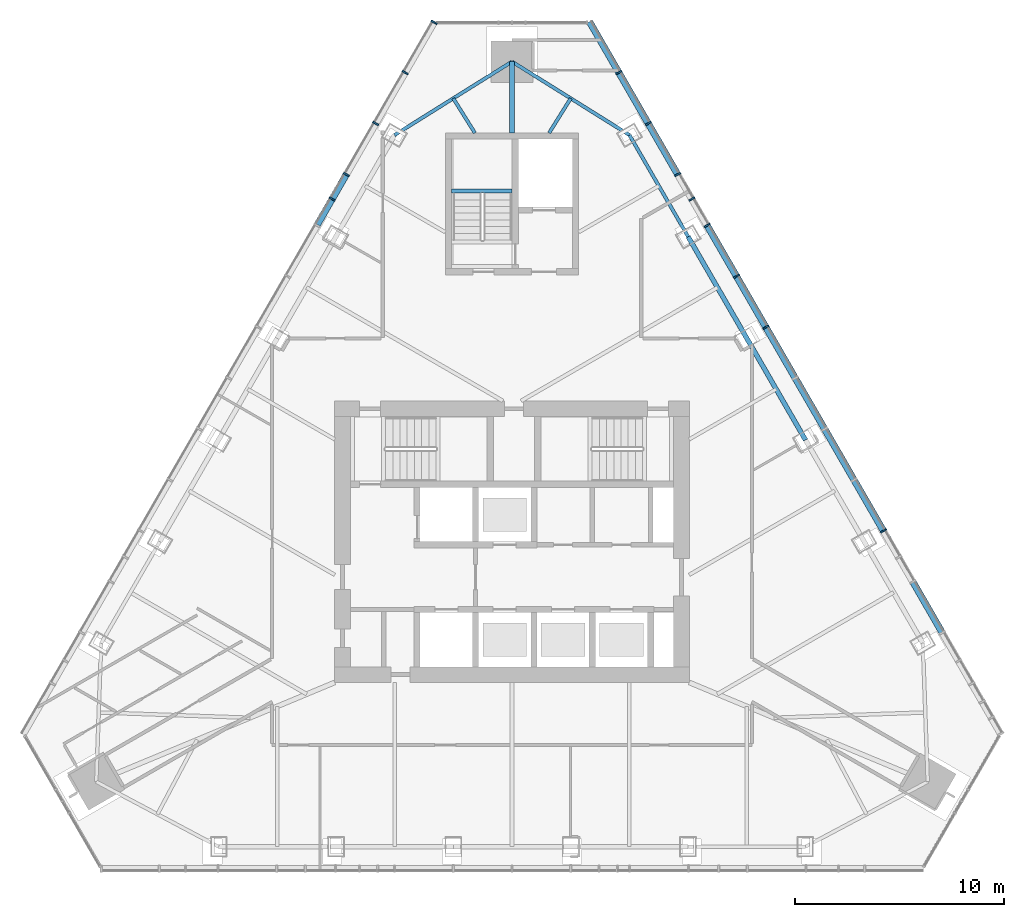
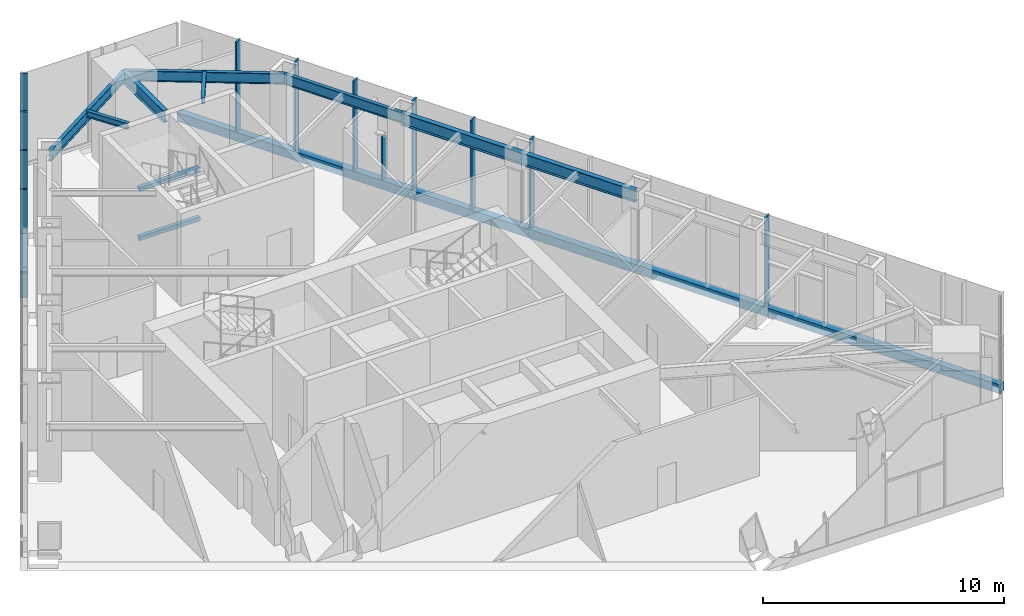
# One storey, part 6 of 17: 15 members, 9 beams, 2 elements without a shape of their own.
"""IFC4 building model written with IfcOpenShell, lengths in metres."""

from ifc_helpers import new_model, si_unit, direction, frame, origin, origin_2d, place, context, subcontext, project, spatial, rectangle, i_section, extrude, material, layer, layer_set, material_profile, profile_set, type_object, element, aggregate, save


model = new_model("IFC4")

# Units and contexts
model_context = context("Model", 3, precision=1e-05, world=origin(), true_north=direction((0.0, 1.0)))
body_context = subcontext(model_context, "Body", "Model", "MODEL_VIEW")
ifc_project = project(units=[si_unit("LENGTHUNIT", "METRE"), si_unit("AREAUNIT", "SQUARE_METRE"), si_unit("VOLUMEUNIT", "CUBIC_METRE"), si_unit("PLANEANGLEUNIT", "RADIAN"), si_unit("MASSUNIT", "GRAM", prefix="KILO")], contexts=[model_context])

# Site, building, storey
site_placement = place(None, origin())
site = spatial("IfcSite", under=ifc_project, at=site_placement, CompositionType="ELEMENT")
building_placement = place(site_placement, origin())
building = spatial("IfcBuilding", under=site, at=building_placement, Name="Firuza Gate Tower and Library", CompositionType="ELEMENT")
storey_placement = place(building_placement, frame((0.0, 0.0, 326.60009765625)))
storey = spatial("IfcBuildingStorey", under=building, at=storey_placement, Name="L80", CompositionType="ELEMENT", Elevation=326.60009765625)

# Curtain wall, members
ifc_material_1 = material(Name="Aluminium 6063-T6", Category="aluminium")
ifc_layer = layer(ifc_material_1, 0.14990234375)
ifc_layer_set = layer_set([ifc_layer], Name="Unitised curtain wall, residences")
curtain_wall_type = type_object("IfcCurtainWallType", Name="Unitised curtain wall, residences", PredefinedType="NOTDEFINED", material=ifc_layer_set)
placement = place(storey_placement, origin())
curtain_wall_1 = element("IfcCurtainWall", 1, at=placement, inside=storey, type_object=curtain_wall_type, Name="CW3 L80 E face", PredefinedType="NOTDEFINED")
ifc_material_2 = material(Name="Aluminium 6063-T6", Category="aluminium")
ifc_material_profile_1 = material_profile(ifc_material_2, rectangle(XDim=0.320068359375, YDim=0.080078125, at=origin_2d()))
ifc_profile_set_1 = profile_set([ifc_material_profile_1], Name="Aluminium 6063-T6")
member_type_1 = type_object("IfcMemberType", Name="Curtain wall mullion 80x320", PredefinedType="MULLION", material=ifc_profile_set_1)
member_1_placement = place(storey_placement, frame((92.814453125, 75.51806640625, 0.14990234375), z_axis=(0.0, 0.0, 1.0), x_axis=(-0.866025403784, -0.5, 0.0)))
member_1 = element("IfcMember", 2, at=member_1_placement, type_object=member_type_1, Name="Mullion", PredefinedType="MULLION", context=body_context, shape_type="SweptSolid", body=[
    extrude(rectangle(XDim=0.320068359375, YDim=0.080078125, at=origin_2d()), origin(), (0.0, 0.0, 1.0), 4.550048828125),
])
member_2_placement = place(storey_placement, frame((87.175537109375, 85.28515625, 0.14990234375), z_axis=(0.0, 0.0, 1.0), x_axis=(-0.866025403784, -0.5, 0.0)))
member_2 = element("IfcMember", 3, at=member_2_placement, type_object=member_type_1, Name="Mullion", PredefinedType="MULLION", context=body_context, shape_type="SweptSolid", body=[
    extrude(rectangle(XDim=0.320068359375, YDim=0.080078125, at=origin_2d()), origin(), (0.0, 0.0, 1.0), 4.550048828125),
])
member_3_placement = place(storey_placement, frame((85.765625, 87.72705078125, 0.14990234375), z_axis=(0.0, 0.0, 1.0), x_axis=(-0.866025403784, -0.5, 0.0)))
member_3 = element("IfcMember", 4, at=member_3_placement, type_object=member_type_1, Name="Mullion", PredefinedType="MULLION", context=body_context, shape_type="SweptSolid", body=[
    extrude(rectangle(XDim=0.320068359375, YDim=0.080078125, at=origin_2d()), origin(), (0.0, 0.0, 1.0), 4.550048828125),
])
member_4_placement = place(storey_placement, frame((84.35595703125, 90.168701171875, 0.14990234375), z_axis=(0.0, 0.0, 1.0), x_axis=(-0.866025403784, -0.5, 0.0)))
member_4 = element("IfcMember", 5, at=member_4_placement, type_object=member_type_1, Name="Mullion", PredefinedType="MULLION", context=body_context, shape_type="SweptSolid", body=[
    extrude(rectangle(XDim=0.320068359375, YDim=0.080078125, at=origin_2d()), origin(), (0.0, 0.0, 1.0), 4.550048828125),
])
member_5_placement = place(storey_placement, frame((82.9462890625, 92.610595703125, 0.14990234375), z_axis=(0.0, 0.0, 1.0), x_axis=(-0.866025403784, -0.5, 0.0)))
member_5 = element("IfcMember", 6, at=member_5_placement, type_object=member_type_1, Name="Mullion", PredefinedType="MULLION", context=body_context, shape_type="SweptSolid", body=[
    extrude(rectangle(XDim=0.320068359375, YDim=0.080078125, at=origin_2d()), origin(), (0.0, 0.0, 1.0), 4.550048828125),
])
member_6_placement = place(storey_placement, frame((81.536376953125, 95.05224609375, 0.14990234375), z_axis=(0.0, 0.0, 1.0), x_axis=(-0.866025403784, -0.5, 0.0)))
member_6 = element("IfcMember", 7, at=member_6_placement, type_object=member_type_1, Name="Mullion", PredefinedType="MULLION", context=body_context, shape_type="SweptSolid", body=[
    extrude(rectangle(XDim=0.320068359375, YDim=0.080078125, at=origin_2d()), origin(), (0.0, 0.0, 1.0), 4.550048828125),
])
member_7_placement = place(storey_placement, frame((80.126708984375, 97.494140625, 0.14990234375), z_axis=(0.0, 0.0, 1.0), x_axis=(-0.866025403784, -0.5, 0.0)))
member_7 = element("IfcMember", 8, at=member_7_placement, type_object=member_type_1, Name="Mullion", PredefinedType="MULLION", context=body_context, shape_type="SweptSolid", body=[
    extrude(rectangle(XDim=0.320068359375, YDim=0.080078125, at=origin_2d()), origin(), (0.0, 0.0, 1.0), 4.550048828125),
])
member_8_placement = place(storey_placement, frame((83.62744140625, 91.4306640625, 0.14990234375), z_axis=(0.0, 0.0, 1.0), x_axis=(-0.866025403784, -0.5, 0.0)))
member_8 = element("IfcMember", 9, at=member_8_placement, type_object=member_type_1, Name="Mullion", PredefinedType="MULLION", context=body_context, shape_type="SweptSolid", body=[
    extrude(rectangle(XDim=0.320068359375, YDim=0.080078125, at=origin_2d()), origin(), (0.0, 0.0, 1.0), 2.235107421875),
])

curtain_wall_2 = element("IfcCurtainWall", 10, at=placement, inside=storey, type_object=curtain_wall_type, Name="CW3 L80 W face", PredefinedType="NOTDEFINED")
member_9_placement = place(storey_placement, frame((71.26318359375, 99.901123046875, 0.14990234375), z_axis=(0.0, 0.0, 1.0), x_axis=(0.866025403784, -0.5, 0.0)))
member_9 = element("IfcMember", 11, at=member_9_placement, type_object=member_type_1, Name="Mullion", PredefinedType="MULLION", context=body_context, shape_type="SweptSolid", body=[
    extrude(rectangle(XDim=0.320068359375, YDim=0.080078125, at=origin_2d()), origin(), (0.0, 0.0, 1.0), 4.550048828125),
])
member_10_placement = place(storey_placement, frame((69.873291015625, 97.494140625, 0.14990234375), z_axis=(0.0, 0.0, 1.0), x_axis=(0.866025403784, -0.5, 0.0)))
member_10 = element("IfcMember", 12, at=member_10_placement, type_object=member_type_1, Name="Mullion", PredefinedType="MULLION", context=body_context, shape_type="SweptSolid", body=[
    extrude(rectangle(XDim=0.320068359375, YDim=0.080078125, at=origin_2d()), origin(), (0.0, 0.0, 1.0), 4.550048828125),
])
member_11_placement = place(storey_placement, frame((68.463623046875, 95.05224609375, 0.14990234375), z_axis=(0.0, 0.0, 1.0), x_axis=(0.866025403784, -0.5, 0.0)))
member_11 = element("IfcMember", 13, at=member_11_placement, type_object=member_type_1, Name="Mullion", PredefinedType="MULLION", context=body_context, shape_type="SweptSolid", body=[
    extrude(rectangle(XDim=0.320068359375, YDim=0.080078125, at=origin_2d()), origin(), (0.0, 0.0, 1.0), 4.550048828125),
])
member_12_placement = place(storey_placement, frame((67.0537109375, 92.610595703125, 0.14990234375), z_axis=(0.0, 0.0, 1.0), x_axis=(0.866025403784, -0.5, 0.0)))
member_12 = element("IfcMember", 14, at=member_12_placement, type_object=member_type_1, Name="Mullion", PredefinedType="MULLION", context=body_context, shape_type="SweptSolid", body=[
    extrude(rectangle(XDim=0.320068359375, YDim=0.080078125, at=origin_2d()), origin(), (0.0, 0.0, 1.0), 4.550048828125),
])
member_13_placement = place(storey_placement, frame((66.37255859375, 91.4306640625, 0.14990234375), z_axis=(0.0, 0.0, 1.0), x_axis=(0.866025403784, -0.5, 0.0)))
member_13 = element("IfcMember", 15, at=member_13_placement, type_object=member_type_1, Name="Mullion", PredefinedType="MULLION", context=body_context, shape_type="SweptSolid", body=[
    extrude(rectangle(XDim=0.320068359375, YDim=0.080078125, at=origin_2d()), origin(), (0.0, 0.0, 1.0), 2.235107421875),
])

# Member
ifc_material_3 = material(Name="Aluminium 6063-T6", Category="aluminium")
ifc_material_profile_2 = material_profile(ifc_material_3, rectangle(XDim=0.320068359375, YDim=0.449951171875, at=origin_2d()))
ifc_profile_set_2 = profile_set([ifc_material_profile_2], Name="Aluminium 6063-T6")
member_type_2 = type_object("IfcMemberType", Name="Curtain wall transom 450x320", PredefinedType="USERDEFINED", material=ifc_profile_set_2)
member_14_placement = place(storey_placement, frame((98.45361328125, 65.7509765625, -0.0751953125), z_axis=(-0.500003887042, 0.866023159588, 0.0), x_axis=(-0.866023159588, -0.500003887042, 0.0)))
member_14 = element("IfcMember", 16, at=member_14_placement, type_object=member_type_2, Name="Transom", ObjectType="TRANSOM", PredefinedType="USERDEFINED", context=body_context, shape_type="SweptSolid", body=[
    extrude(rectangle(XDim=0.320068359375, YDim=0.449951171875, at=origin_2d()), origin(), (0.0, 0.0, 1.0), 39.473388671875),
])

aggregate(curtain_wall_1, [member_1, member_2, member_3, member_4, member_5, member_6, member_7, member_14, member_8])

ifc_material_4 = material(Name="Aluminium 6063-T6", Category="aluminium")
ifc_material_profile_3 = material_profile(ifc_material_4, rectangle(XDim=0.320068359375, YDim=0.080078125, at=origin_2d()))
ifc_profile_set_3 = profile_set([ifc_material_profile_3], Name="Aluminium 6063-T6")
member_type_3 = type_object("IfcMemberType", Name="Curtain wall transom 80x320", PredefinedType="USERDEFINED", material=ifc_profile_set_3)
member_15_placement = place(storey_placement, frame((67.03369140625, 92.575927734375, 2.4248046875), z_axis=(-0.499953886166, -0.866052025982, 0.0), x_axis=(0.866052025982, -0.499953886166, 0.0)))
member_15 = element("IfcMember", 17, at=member_15_placement, type_object=member_type_3, Name="Transom", ObjectType="TRANSOM", PredefinedType="USERDEFINED", context=body_context, shape_type="SweptSolid", body=[
    extrude(rectangle(XDim=0.320068359375, YDim=0.080078125, at=origin_2d()), origin(), (0.0, 0.0, 1.0), 2.739501953125),
])

aggregate(curtain_wall_2, [member_9, member_10, member_11, member_12, member_13, member_15])

# Beams
ifc_material_5 = material(Name="Concrete C35/45", Category="concrete")
ifc_material_profile_4 = material_profile(ifc_material_5, rectangle(XDim=0.199951171875, YDim=0.199951171875, at=origin_2d()))
ifc_profile_set_4 = profile_set([ifc_material_profile_4], Name="Concrete C35/45")
beam_type_1 = type_object("IfcBeamType", Name="Stair landing bearer 200x200", PredefinedType="BEAM", material=ifc_profile_set_4)
for number, where, z_axis, x_axis, name in (
    (18, (75.0, 91.81005859375, 0.949951171875), (-1.0, 0.0, 0.0), (0.0, -1.0, 0.0), "Landing bearer L80 stair 3"),
    (19, (75.0, 91.81005859375, 3.449951171875), (-1.0, 0.0, 0.0), (0.0, -1.0, 0.0), "Landing bearer L80 stair 3"),
):
    element("IfcBeam", number, at=place(storey_placement, frame(where, z_axis=z_axis, x_axis=x_axis)), inside=storey, type_object=beam_type_1, Name=name, PredefinedType="BEAM", context=body_context, shape_type="SweptSolid", body=[
        extrude(rectangle(XDim=0.199951171875, YDim=0.199951171875, at=origin_2d()), origin(), (0.0, 0.0, 1.0), 2.89990234375),
    ])
ifc_material_6 = material(Name="Steel S355", Category="steel")
ifc_material_profile_5 = material_profile(ifc_material_6, i_section(OverallWidth=0.1650390625, OverallDepth=0.31005859375, WebThickness=0.005859375, FlangeThickness=0.009765625, at=origin_2d()))
ifc_profile_set_5 = profile_set([ifc_material_profile_5], Name="Steel S355")
beam_type_2 = type_object("IfcBeamType", Name="W310x39 Floor beam", PredefinedType="JOIST", material=ifc_profile_set_5)
for number, where, z_axis, x_axis, name in (
    (20, (77.81689453125, 96.2568359375, 4.544921875), (-0.53024599016, -0.847843847603, 0.0), (0.847843847603, -0.53024599016, 0.0), "Floor beam L80 s60"),
    (21, (72.18310546875, 96.2568359375, 4.544921875), (0.53024599016, -0.847843847603, 0.0), (0.847843847603, 0.53024599016, 0.0), "Floor beam L80 s70"),
):
    element("IfcBeam", number, at=place(storey_placement, frame(where, z_axis=z_axis, x_axis=x_axis)), inside=storey, type_object=beam_type_2, Name=name, PredefinedType="JOIST", context=body_context, shape_type="SweptSolid", body=[
        extrude(i_section(OverallWidth=0.1650390625, OverallDepth=0.31005859375, WebThickness=0.005859375, FlangeThickness=0.009765625, at=origin_2d()), origin(), (0.0, 0.0, 1.0), 1.9541015625),
    ])
ifc_material_7 = material(Name="Steel S355", Category="steel")
ifc_material_profile_6 = material_profile(ifc_material_7, i_section(OverallWidth=0.166015625, OverallDepth=0.534912109375, WebThickness=0.01025390625, FlangeThickness=0.0166015625, at=origin_2d()))
ifc_profile_set_6 = profile_set([ifc_material_profile_6], Name="Steel S355")
beam_type_3 = type_object("IfcBeamType", Name="W530x85 Edge beam", PredefinedType="SPANDREL", material=ifc_profile_set_6)
beam_1_placement = place(storey_placement, frame((83.447265625, 89.622802734375, 4.432373046875), z_axis=(-0.500021672205, 0.86601289097, 0.0), x_axis=(-0.86601289097, -0.500021672205, 0.0)))
element("IfcBeam", 22, at=beam_1_placement, inside=storey, type_object=beam_type_3, Name="Edge beam L80 e54", PredefinedType="SPANDREL", context=body_context, shape_type="SweptSolid", body=[
    extrude(i_section(OverallWidth=0.166015625, OverallDepth=0.534912109375, WebThickness=0.01025390625, FlangeThickness=0.0166015625, at=origin_2d()), origin(), (0.0, 0.0, 1.0), 5.626708984375),
])
for number, where, z_axis, x_axis, name in (
    (23, (80.6337890625, 94.49560546875, 4.432373046875), (-0.847890946312, 0.530170673615, 0.0), (-0.530170673615, -0.847890946312, 0.0), "Edge beam L80 e60"),
    (24, (75.0, 98.018310546875, 4.432373046875), (-0.847890946312, -0.530170673615, 0.0), (0.530170673615, -0.847890946312, 0.0), "Edge beam L80 e70"),
):
    element("IfcBeam", number, at=place(storey_placement, frame(where, z_axis=z_axis, x_axis=x_axis)), inside=storey, type_object=beam_type_3, Name=name, PredefinedType="SPANDREL", context=body_context, shape_type="SweptSolid", body=[
        extrude(i_section(OverallWidth=0.166015625, OverallDepth=0.534912109375, WebThickness=0.01025390625, FlangeThickness=0.0166015625, at=origin_2d()), origin(), (0.0, 0.0, 1.0), 6.64453125),
    ])
ifc_material_8 = material(Name="Steel S355", Category="steel")
ifc_material_profile_7 = material_profile(ifc_material_8, i_section(OverallWidth=0.22802734375, OverallDepth=0.60302734375, WebThickness=0.010498046875, FlangeThickness=0.014892578125, at=origin_2d()))
ifc_profile_set_7 = profile_set([ifc_material_profile_7], Name="Steel S355")
beam_type_4 = type_object("IfcBeamType", Name="W610x101 Girder", PredefinedType="BEAM", material=ifc_profile_set_7)
beam_2_placement = place(storey_placement, frame((75.0, 98.018310546875, 4.3984375), z_axis=(0.0, -1.0, 0.0), x_axis=(1.0, 0.0, 0.0)))
element("IfcBeam", 25, at=beam_2_placement, inside=storey, type_object=beam_type_4, Name="Girder L80 gN", PredefinedType="BEAM", context=body_context, shape_type="SweptSolid", body=[
    extrude(i_section(OverallWidth=0.22802734375, OverallDepth=0.60302734375, WebThickness=0.010498046875, FlangeThickness=0.014892578125, at=origin_2d()), origin(), (0.0, 0.0, 1.0), 3.418212890625),
])
ifc_material_9 = material(Name="Steel S355", Category="steel")
ifc_material_profile_8 = material_profile(ifc_material_9, i_section(OverallWidth=0.22900390625, OverallDepth=0.612060546875, WebThickness=0.011962890625, FlangeThickness=0.01953125, at=origin_2d()))
ifc_profile_set_8 = profile_set([ifc_material_profile_8], Name="Steel S355")
beam_type_5 = type_object("IfcBeamType", Name="W610x125 Edge beam", PredefinedType="SPANDREL", material=ifc_profile_set_8)
beam_3_placement = place(storey_placement, frame((89.073974609375, 79.876953125, 4.393798828125), z_axis=(-0.499996007168, 0.866027709035, 0.0), x_axis=(-0.866027709035, -0.499996007168, 0.0)))
element("IfcBeam", 26, at=beam_3_placement, inside=storey, type_object=beam_type_5, Name="Edge beam L80 e52", PredefinedType="SPANDREL", context=body_context, shape_type="SweptSolid", body=[
    extrude(i_section(OverallWidth=0.22900390625, OverallDepth=0.612060546875, WebThickness=0.011962890625, FlangeThickness=0.01953125, at=origin_2d()), origin(), (0.0, 0.0, 1.0), 11.25341796875),
])

save(model, "model.ifc")
